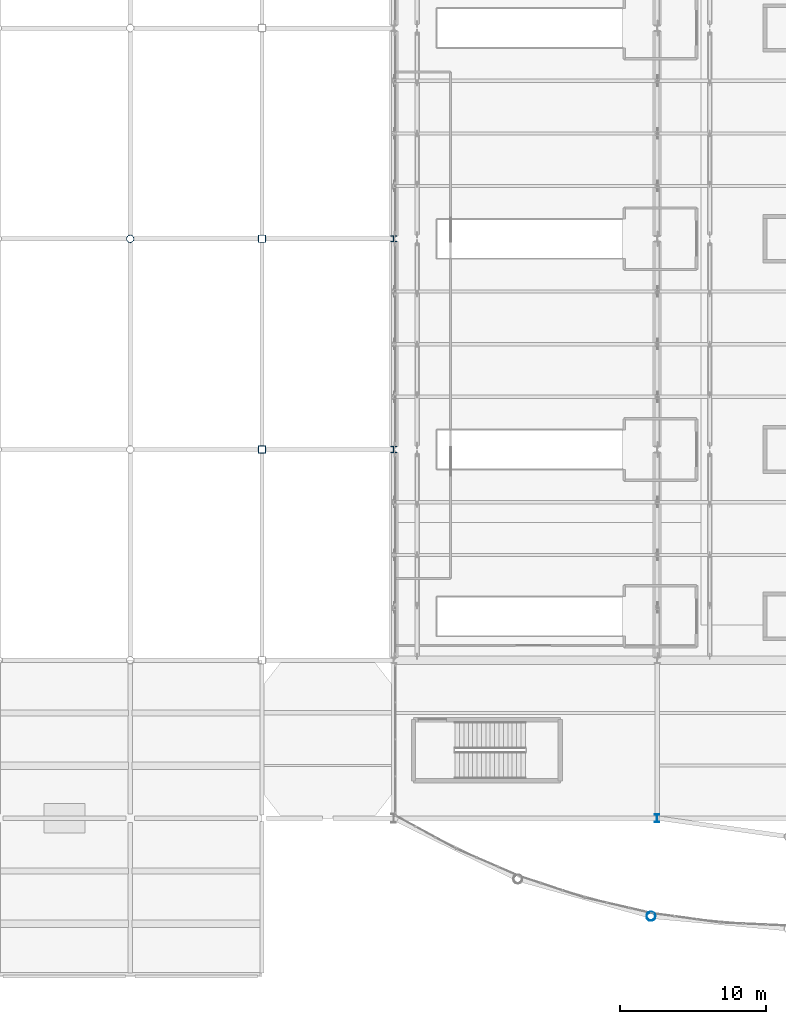
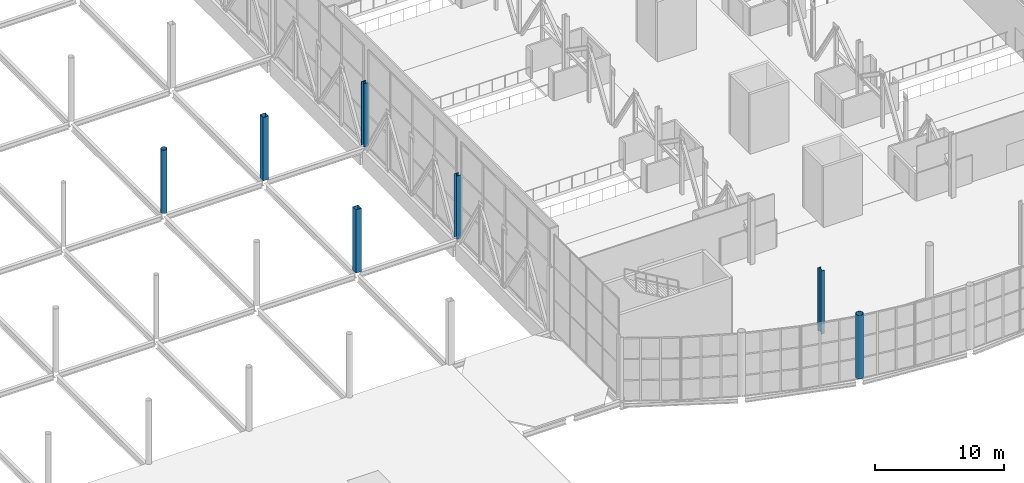
# One storey, part 4 of 191: 7 columns.
"""IFC4 building model written with IfcOpenShell, lengths in metres."""

from ifc_helpers import new_model, si_unit, direction, frame, origin, origin_2d, place, context, subcontext, project, spatial, hollow_rectangle, hollow_circle, i_section, extrude, material, material_profile, profile_set, type_object, element, save


model = new_model("IFC4")

# Units and contexts
model_context = context("Model", 3, precision=1e-05, world=origin(), true_north=direction((0.0, 1.0)))
body_context = subcontext(model_context, "Body", "Model", "MODEL_VIEW")
ifc_project = project(units=[si_unit("LENGTHUNIT", "METRE"), si_unit("AREAUNIT", "SQUARE_METRE"), si_unit("VOLUMEUNIT", "CUBIC_METRE"), si_unit("PLANEANGLEUNIT", "RADIAN"), si_unit("MASSUNIT", "GRAM", prefix="KILO")], contexts=[model_context])

# Site, building, storey
site_placement = place(None, origin())
site = spatial("IfcSite", under=ifc_project, at=site_placement, CompositionType="ELEMENT")
building_placement = place(site_placement, origin())
building = spatial("IfcBuilding", under=site, at=building_placement, Name="Tamarisk Ironworks Central Station", CompositionType="ELEMENT")
storey_placement = place(building_placement, frame((0.0, 0.0, 6.60009765625)))
storey = spatial("IfcBuildingStorey", under=building, at=storey_placement, Name="L01", CompositionType="ELEMENT", Elevation=6.60009765625)

# Columns
ifc_material_1 = material(Name="Structural steel S355J2", Category="steel")
ifc_material_profile_1 = material_profile(ifc_material_1, i_section(OverallWidth=0.406005859375, OverallDepth=0.416015625, WebThickness=0.022705078125, FlangeThickness=0.034912109375, at=origin_2d()), Name="HD 400x382")
ifc_profile_set_1 = profile_set([ifc_material_profile_1], Name="Structural steel S355J2")
column_type_1 = type_object("IfcColumnType", Name="COL-S02", PredefinedType="COLUMN", material=ifc_profile_set_1)
for number, where, z_axis, x_axis, name in (
    (1, (54.0, 36.0, 0.0), (0.0, 0.0, 1.0), (1.0, 0.0, 0.0), "L01 column V2-07D"),
    (2, (54.0, 50.39990234375, 0.0), (0.0, 0.0, 1.0), (1.0, 0.0, 0.0), "L01 column V2-07E"),
):
    element("IfcColumn", number, at=place(storey_placement, frame(where, z_axis=z_axis, x_axis=x_axis)), inside=storey, type_object=column_type_1, Name=name, PredefinedType="COLUMN", context=body_context, shape_type="SweptSolid", body=[
        extrude(i_section(OverallWidth=0.406005859375, OverallDepth=0.416015625, WebThickness=0.022705078125, FlangeThickness=0.034912109375, at=origin_2d()), origin(), (0.0, 0.0, 1.0), 6.0),
    ])
ifc_material_profile_2 = material_profile(ifc_material_1, i_section(OverallWidth=0.300048828125, OverallDepth=0.550048828125, WebThickness=0.014892578125, FlangeThickness=0.029052734375, at=origin_2d()), Name="HEB 550")
ifc_profile_set_2 = profile_set([ifc_material_profile_2], Name="Structural steel S355J2")
column_type_2 = type_object("IfcColumnType", Name="COL-S06", PredefinedType="COLUMN", material=ifc_profile_set_2)
column_1_placement = place(storey_placement, frame((72.0, 10.800048828125, 0.0), z_axis=(0.0, 0.0, 1.0), x_axis=(1.0, 0.0, 0.0)))
element("IfcColumn", 3, at=column_1_placement, inside=storey, type_object=column_type_2, Name="L01 column V2-09B", PredefinedType="COLUMN", context=body_context, shape_type="SweptSolid", body=[
    extrude(i_section(OverallWidth=0.300048828125, OverallDepth=0.550048828125, WebThickness=0.014892578125, FlangeThickness=0.029052734375, at=origin_2d()), origin(), (0.0, 0.0, 1.0), 6.0),
])
ifc_material_2 = material(Name="Structural steel S355J2H", Category="steel")
ifc_material_profile_3 = material_profile(ifc_material_2, hollow_rectangle(XDim=0.5, YDim=0.5, WallThickness=0.02001953125, at=origin_2d()), Name="SHS 500x500x20")
ifc_profile_set_3 = profile_set([ifc_material_profile_3], Name="Structural steel S355J2H")
column_type_3 = type_object("IfcColumnType", Name="COL-S13", PredefinedType="COLUMN", material=ifc_profile_set_3)
for number, where, z_axis, x_axis, name in (
    (4, (45.0, 36.0, 0.0), (0.0, 0.0, 1.0), (1.0, 0.0, 0.0), "L01 column V1-06D"),
    (5, (45.0, 50.39990234375, 0.0), (0.0, 0.0, 1.0), (1.0, 0.0, 0.0), "L01 column V1-06E"),
):
    element("IfcColumn", number, at=place(storey_placement, frame(where, z_axis=z_axis, x_axis=x_axis)), inside=storey, type_object=column_type_3, Name=name, PredefinedType="COLUMN", context=body_context, shape_type="SweptSolid", body=[
        extrude(hollow_rectangle(XDim=0.5, YDim=0.5, WallThickness=0.02001953125, at=origin_2d()), origin(), (0.0, 0.0, 1.0), 6.0),
    ])
ifc_material_3 = material(Name="Painted structural steel S355J2", Category="steel")
ifc_material_profile_4 = material_profile(ifc_material_3, hollow_circle(Radius=0.304931640625, WallThickness=0.02001953125, at=origin_2d()), Name="CHS 610x20")
ifc_profile_set_4 = profile_set([ifc_material_profile_4], Name="Painted structural steel S355J2")
column_type_4 = type_object("IfcColumnType", Name="COL-S15", PredefinedType="COLUMN", material=ifc_profile_set_4)
column_2_placement = place(storey_placement, frame((71.589111328125, 4.099609375, 0.0), z_axis=(0.0, 0.0, 1.0), x_axis=(1.0, 0.0, 0.0)))
element("IfcColumn", 6, at=column_2_placement, inside=storey, type_object=column_type_4, Name="L01 column V2-SN04", PredefinedType="COLUMN", context=body_context, shape_type="SweptSolid", body=[
    extrude(hollow_circle(Radius=0.304931640625, WallThickness=0.02001953125, at=origin_2d()), origin(), (0.0, 0.0, 1.0), 6.0),
])
ifc_material_profile_5 = material_profile(ifc_material_2, hollow_circle(Radius=0.25390625, WallThickness=0.01611328125, at=origin_2d()), Name="CHS 508x16")
ifc_profile_set_5 = profile_set([ifc_material_profile_5], Name="Structural steel S355J2H")
column_type_5 = type_object("IfcColumnType", Name="COL-S16", PredefinedType="COLUMN", material=ifc_profile_set_5)
column_3_placement = place(storey_placement, frame((36.0, 50.39990234375, 0.0), z_axis=(0.0, 0.0, 1.0), x_axis=(1.0, 0.0, 0.0)))
element("IfcColumn", 7, at=column_3_placement, inside=storey, type_object=column_type_5, Name="L01 column V1-05E", PredefinedType="COLUMN", context=body_context, shape_type="SweptSolid", body=[
    extrude(hollow_circle(Radius=0.25390625, WallThickness=0.01611328125, at=origin_2d()), origin(), (0.0, 0.0, 1.0), 6.0),
])

save(model, "model.ifc")
